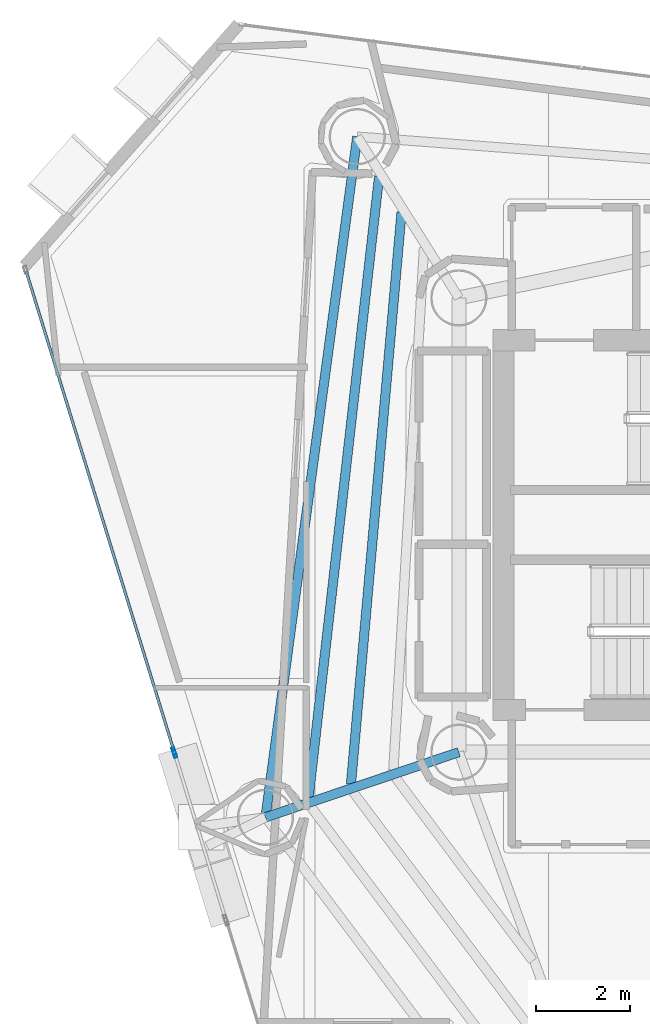
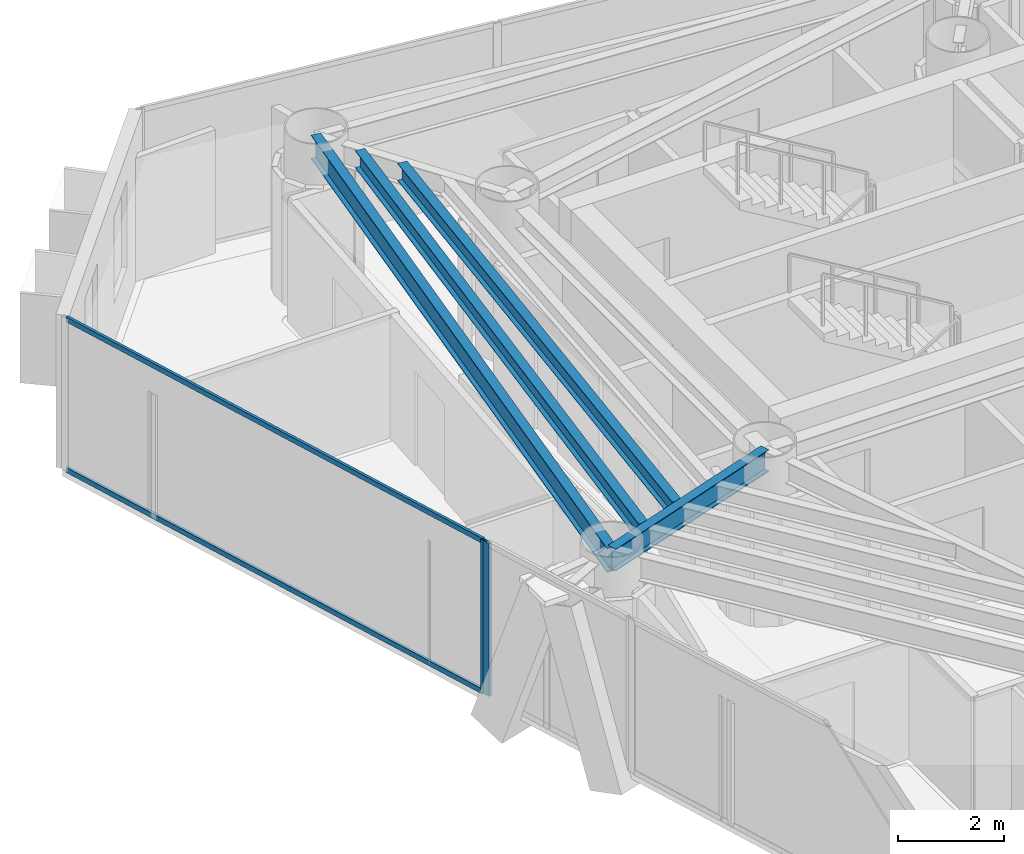
# One storey, part 8 of 23: 4 beams, 4 members, 2 elements without a shape of their own.
"""IFC4 building model written with IfcOpenShell, lengths in metres."""

import ifcopenshell
import ifcopenshell.guid

model = None  # the IFC model being written
_history = None  # IfcOwnerHistory: only IFC2X3 demands one
_inside = {}  # id of a spatial element -> (the spatial element, [elements in it])
_under = {}  # id of a project, library or spatial element -> (it, [spatial elements below it])
_declared = {}  # id of a project -> (the project, [libraries it declares])
_typed = {}  # id of a type object -> (the type object, [elements of that type])
_made_of = {}  # id of a material, layer set ... -> (it, [elements and type objects made of it])


def new_model(schema):
    """Start an empty IFC model of exactly this schema.

    Asked for "IFC4X3", IfcOpenShell would pick the latest addendum, in which some entities
    have other attributes; the version numbers below select the first issue.
    IFC2X3 requires an IfcOwnerHistory on every rooted entity: one is made here for all.
    """
    global model, _history
    if schema == "IFC4X3":
        model = ifcopenshell.file(schema_version=(4, 3, 0, 0))
    else:
        model = ifcopenshell.file(schema=schema)
    _inside.clear()
    _under.clear()
    _declared.clear()
    _typed.clear()
    _made_of.clear()
    _history = None
    if model.schema == "IFC2X3":
        org = make("IfcOrganization", Name="unknown")
        user = make(
            "IfcPersonAndOrganization",
            ThePerson=make("IfcPerson", FamilyName="unknown"),
            TheOrganization=org,
        )
        app = make(
            "IfcApplication",
            ApplicationDeveloper=org,
            Version="unknown",
            ApplicationFullName="unknown",
            ApplicationIdentifier="unknown",
        )
        _history = make(
            "IfcOwnerHistory",
            OwningUser=user,
            OwningApplication=app,
            ChangeAction="ADDED",
            CreationDate=0,
        )
    return model


def make(cls, **values):
    """One entity of the class cls with the attributes given. An attribute that is None is left unset."""
    return model.create_entity(
        cls, **{name: value for name, value in values.items() if value is not None}
    )


def rooted(cls, **values):
    """An entity with a GlobalId (a new one), such as an element, a storey or a relation."""
    return make(cls, GlobalId=ifcopenshell.guid.new(), OwnerHistory=_history, **values)


def si_unit(unit_type, name, prefix=None):
    """IfcSIUnit, for example si_unit("LENGTHUNIT", "METRE", prefix="MILLI")."""
    return make("IfcSIUnit", UnitType=unit_type, Prefix=prefix, Name=name)


def assignment(units):
    """IfcUnitAssignment: the units of a project."""
    return None if units is None else make("IfcUnitAssignment", Units=units)


def point(xyz):
    """IfcCartesianPoint."""
    return None if xyz is None else make("IfcCartesianPoint", Coordinates=xyz)


def direction(xyz):
    """IfcDirection."""
    return None if xyz is None else make("IfcDirection", DirectionRatios=xyz)


def frame(location, z_axis=None, x_axis=None):
    """IfcAxis2Placement3D, a coordinate frame: its origin and axes. An axis left out is left unset."""
    return make(
        "IfcAxis2Placement3D",
        Location=point(location),
        Axis=direction(z_axis),
        RefDirection=direction(x_axis),
    )


def frame_2d(location, x_axis=None):
    """IfcAxis2Placement2D, a coordinate frame in the plane: its origin and x axis."""
    return make(
        "IfcAxis2Placement2D", Location=point(location), RefDirection=direction(x_axis)
    )


def origin():
    """The frame at (0, 0, 0) with its axes left unset."""
    return frame((0.0, 0.0, 0.0))


def origin_2d():
    """The frame at (0, 0) in the plane with its x axis left unset."""
    return frame_2d((0.0, 0.0))


def place(relative_to, where):
    """IfcLocalPlacement: puts the frame where relative to a parent placement (None: the world)."""
    return make(
        "IfcLocalPlacement", PlacementRelTo=relative_to, RelativePlacement=where
    )


def context(
    kind, dimensions, precision=None, world=None, true_north=None, identifier=None
):
    """IfcGeometricRepresentationContext, for example the 3D "Model" context."""
    return make(
        "IfcGeometricRepresentationContext",
        ContextIdentifier=identifier,
        ContextType=kind,
        CoordinateSpaceDimension=dimensions,
        Precision=precision,
        WorldCoordinateSystem=world,
        TrueNorth=true_north,
    )


def subcontext(parent, identifier, kind, view, scale=None):
    """IfcGeometricRepresentationSubContext, for example "Body" below "Model"."""
    return make(
        "IfcGeometricRepresentationSubContext",
        ContextIdentifier=identifier,
        ContextType=kind,
        ParentContext=parent,
        TargetScale=scale,
        TargetView=view,
    )


def project(units=None, contexts=None):
    """IfcProject with its units and contexts."""
    return rooted(
        "IfcProject",
        Name="project",
        RepresentationContexts=contexts,
        UnitsInContext=assignment(units),
    )


def spatial(cls, under=None, at=None, **own):
    """A site, building, storey or space (cls), placed at a placement, below another one or the project."""
    s = rooted(cls, ObjectPlacement=at, **own)
    if under is not None:
        _under.setdefault(under.id(), (under, []))[1].append(s)
    return s


def profile(cls, at=None, kind="AREA", **sizes):
    """A parametric profile (cls). Its sizes go by their IFC names, for example OverallWidth=200.0."""
    return make(cls, ProfileType=kind, Position=at, **sizes)


def hollow_rectangle(**sizes):
    """IfcRectangleHollowProfileDef."""
    return profile("IfcRectangleHollowProfileDef", **sizes)


def i_section(**sizes):
    """IfcIShapeProfileDef."""
    return profile("IfcIShapeProfileDef", **sizes)


def extrude(swept, where, along, depth):
    """IfcExtrudedAreaSolid: the profile swept, set in the frame where, extruded along a direction by depth."""
    return make(
        "IfcExtrudedAreaSolid",
        SweptArea=swept,
        Position=where,
        ExtrudedDirection=direction(along),
        Depth=depth,
    )


def shape(context_of_items, identifier, shape_type, items):
    """IfcShapeRepresentation: the items that make up one representation, for example the "Body"."""
    return make(
        "IfcShapeRepresentation",
        ContextOfItems=context_of_items,
        RepresentationIdentifier=identifier,
        RepresentationType=shape_type,
        Items=items,
    )


def material(Name=None, Category=None):
    """IfcMaterial."""
    return make("IfcMaterial", Name=Name, Category=Category)


def layer(
    of_material, thickness, ventilated=None, Name=None, Category=None, Priority=None
):
    """IfcMaterialLayer: one layer of a wall or slab, of a material (None: an air gap)."""
    return make(
        "IfcMaterialLayer",
        Material=of_material,
        LayerThickness=thickness,
        IsVentilated=ventilated,
        Name=Name,
        Category=Category,
        Priority=Priority,
    )


def layer_set(layers, Name=None):
    """IfcMaterialLayerSet."""
    return make("IfcMaterialLayerSet", MaterialLayers=layers, LayerSetName=Name)


def material_profile(
    of_material, cross_section, Name=None, Category=None, Priority=None
):
    """IfcMaterialProfile: a cross section and its material."""
    return make(
        "IfcMaterialProfile",
        Name=Name,
        Material=of_material,
        Profile=cross_section,
        Priority=Priority,
        Category=Category,
    )


def profile_set(profiles, Name=None, composite=None):
    """IfcMaterialProfileSet."""
    return make(
        "IfcMaterialProfileSet",
        Name=Name,
        MaterialProfiles=profiles,
        CompositeProfile=composite,
    )


def made_of(thing, what):
    """Note that an element or type object is made of a material, layer set ...; save() writes the relation."""
    if what is not None:
        _made_of.setdefault(what.id(), (what, []))[1].append(thing)
    return thing


def type_object(cls, material=None, **own):
    """A type object (cls), such as IfcWallType, which elements share."""
    return made_of(rooted(cls, **own), material)


def element(
    cls,
    number,
    at=None,
    inside=None,
    cuts=None,
    type_object=None,
    material=None,
    context=None,
    identifier="Body",
    shape_type=None,
    held_by="IfcProductDefinitionShape",
    body=None,
    shapes=None,
    **own,
):
    """One element of the class cls, such as IfcWall. Its Tag is "e" and its number.

    at: its placement. inside: the storey or other place that contains it. cuts: it is an
    opening in that element (IfcRelVoidsElement). A single representation is given by context,
    identifier, shape_type and body (its items); several are given by shapes. held_by: the class
    of the entity that holds the representations. save() writes the other relations.
    """
    e = rooted(cls, Tag="e%d" % number, ObjectPlacement=at, **own)
    if body is not None:
        shapes = [shape(context, identifier, shape_type, body)]
    if shapes is not None:
        e.Representation = make(held_by, Representations=shapes)
    if inside is not None:
        _inside.setdefault(inside.id(), (inside, []))[1].append(e)
    if cuts is not None:
        rooted(
            "IfcRelVoidsElement", RelatingBuildingElement=cuts, RelatedOpeningElement=e
        )
    if type_object is not None:
        _typed.setdefault(type_object.id(), (type_object, []))[1].append(e)
    return made_of(e, material)


def aggregate(whole, parts):
    """IfcRelAggregates: a whole, such as a stair, and the parts it consists of."""
    return rooted("IfcRelAggregates", RelatingObject=whole, RelatedObjects=parts)


def save(model, path):
    """Write the relations noted so far, then the file.

    IfcRelAggregates (storeys below a building ...), IfcRelContainedInSpatialStructure (elements
    in a storey), IfcRelDefinesByType, IfcRelAssociatesMaterial and IfcRelDeclares: one each for
    every whole, place, type object, material and project.
    """
    for whole, parts in _under.values():
        aggregate(whole, parts)
    for where, things in _inside.values():
        rooted(
            "IfcRelContainedInSpatialStructure",
            RelatedElements=things,
            RelatingStructure=where,
        )
    for kind, things in _typed.values():
        rooted("IfcRelDefinesByType", RelatedObjects=things, RelatingType=kind)
    for what, things in _made_of.values():
        rooted("IfcRelAssociatesMaterial", RelatedObjects=things, RelatingMaterial=what)
    for by, libraries in _declared.values():
        rooted("IfcRelDeclares", RelatingContext=by, RelatedDefinitions=libraries)
    model.write(path)


model = new_model("IFC4")

# Units and contexts
model_context = context("Model", 3, precision=1e-05, world=origin(), true_north=direction((0.0, 1.0)))
body_context = subcontext(model_context, "Body", "Model", "MODEL_VIEW")
ifc_project = project(units=[si_unit("LENGTHUNIT", "METRE"), si_unit("AREAUNIT", "SQUARE_METRE"), si_unit("VOLUMEUNIT", "CUBIC_METRE"), si_unit("PLANEANGLEUNIT", "RADIAN"), si_unit("MASSUNIT", "GRAM", prefix="KILO")], contexts=[model_context])

# Site, building, storey
site_placement = place(None, origin())
site = spatial("IfcSite", under=ifc_project, at=site_placement, CompositionType="ELEMENT")
building_placement = place(site_placement, origin())
building = spatial("IfcBuilding", under=site, at=building_placement, Name="Qianvela Tower", CompositionType="ELEMENT")
storey_placement = place(building_placement, frame((0.0, 0.0, 218.800048828125)))
storey = spatial("IfcBuildingStorey", under=building, at=storey_placement, Name="L56", CompositionType="ELEMENT", Elevation=218.800048828125)

# Beams
ifc_material_1 = material(Name="Steel Q355B", Category="steel")
ifc_material_profile_1 = material_profile(ifc_material_1, i_section(OverallWidth=0.199951171875, OverallDepth=0.39990234375, WebThickness=0.008056640625, FlangeThickness=0.012939453125, at=origin_2d()), Name="HN400x200x8x13")
ifc_profile_set_1 = profile_set([ifc_material_profile_1], Name="Steel Q355B")
beam_type_1 = type_object("IfcBeamType", Name="BM-HN400-JOIST", PredefinedType="JOIST", material=ifc_profile_set_1)
beam_1_placement = place(storey_placement, frame((27.376953125, 35.3818359375, 3.31787109375), z_axis=(-0.088081491788, -0.996113272075, 0.0), x_axis=(0.996113272075, -0.088081491788, 0.0)))
element("IfcBeam", 1, at=beam_1_placement, inside=storey, type_object=beam_type_1, Name="L56 Secondary Composite Floor Joist 3.2", PredefinedType="JOIST", context=body_context, shape_type="SweptSolid", body=[
    extrude(i_section(OverallWidth=0.199951171875, OverallDepth=0.39990234375, WebThickness=0.008056640625, FlangeThickness=0.012939453125, at=origin_2d()), origin(), (0.0, 0.0, 1.0), 12.26220703125),
])
beam_2_placement = place(storey_placement, frame((26.8974609375, 36.139404296875, 3.31787109375), z_axis=(-0.112721124494, -0.993626664343, 0.0), x_axis=(0.993626664343, -0.112721124494, 0.0)))
element("IfcBeam", 2, at=beam_2_placement, inside=storey, type_object=beam_type_1, Name="L56 Secondary Composite Floor Joist 3.3", PredefinedType="JOIST", context=body_context, shape_type="SweptSolid", body=[
    extrude(i_section(OverallWidth=0.199951171875, OverallDepth=0.39990234375, WebThickness=0.008056640625, FlangeThickness=0.012939453125, at=origin_2d()), origin(), (0.0, 0.0, 1.0), 13.363525390625),
])
ifc_material_2 = material(Name="Steel Q355B", Category="steel")
ifc_material_profile_2 = material_profile(ifc_material_2, i_section(OverallWidth=0.199951171875, OverallDepth=0.5, WebThickness=0.010009765625, FlangeThickness=0.01611328125, at=origin_2d()), Name="HN500x200x10x16")
ifc_profile_set_2 = profile_set([ifc_material_profile_2], Name="Steel Q355B")
beam_type_2 = type_object("IfcBeamType", Name="BM-HN500-GIRD", PredefinedType="BEAM", material=ifc_profile_set_2)
beam_3_placement = place(storey_placement, frame((28.60009765625, 23.85009765625, 3.26806640625), z_axis=(-0.947709214586, -0.319135150976, 0.0), x_axis=(0.319135150976, -0.947709214586, 0.0)))
element("IfcBeam", 3, at=beam_3_placement, inside=storey, type_object=beam_type_2, Name="L56 Radial Primary Floor Girder 4", PredefinedType="BEAM", context=body_context, shape_type="SweptSolid", body=[
    extrude(i_section(OverallWidth=0.199951171875, OverallDepth=0.5, WebThickness=0.010009765625, FlangeThickness=0.01611328125, at=origin_2d()), origin(), (0.0, 0.0, 1.0), 4.35595703125),
])
ifc_material_3 = material(Name="Steel Q355B", Category="steel")
ifc_material_profile_3 = material_profile(ifc_material_3, i_section(OverallWidth=0.199951171875, OverallDepth=0.550048828125, WebThickness=0.010009765625, FlangeThickness=0.01611328125, at=origin_2d()), Name="HN550x200x10x16")
ifc_profile_set_3 = profile_set([ifc_material_profile_3], Name="Steel Q355B")
beam_type_3 = type_object("IfcBeamType", Name="BM-HN550-GIRD", PredefinedType="BEAM", material=ifc_profile_set_3)
beam_4_placement = place(storey_placement, frame((26.430908203125, 36.991943359375, 3.242919921875), z_axis=(-0.133596613255, -0.991035793968, 0.0), x_axis=(0.991035793968, -0.133596613255, 0.0)))
element("IfcBeam", 4, at=beam_4_placement, inside=storey, type_object=beam_type_3, Name="L56 Perimeter Ring Spandrel Girder 3", PredefinedType="BEAM", context=body_context, shape_type="SweptSolid", body=[
    extrude(i_section(OverallWidth=0.199951171875, OverallDepth=0.550048828125, WebThickness=0.010009765625, FlangeThickness=0.01611328125, at=origin_2d()), origin(), (0.0, 0.0, 1.0), 14.663330078125),
])

# Curtain wall, member
ifc_material_4 = material(Name="Anodised Architectural Aluminium and Insulated Spandrel Panel", Category="aluminium")
ifc_layer_1 = layer(ifc_material_4, 0.179931640625)
ifc_layer_set_1 = layer_set([ifc_layer_1], Name="Anodised Architectural Aluminium and Insulated Spandrel Panel")
curtain_wall_type_1 = type_object("IfcCurtainWallType", Name="CW-BRACEBAY", PredefinedType="USERDEFINED", material=ifc_layer_set_1)
curtain_wall_1_placement = place(storey_placement, origin())
curtain_wall_1 = element("IfcCurtainWall", 5, at=curtain_wall_1_placement, inside=storey, type_object=curtain_wall_type_1, Name="L56 CW-BRACEBAY Curtain Wall 04B", ObjectType="CURTAIN_WALL_SYSTEM", PredefinedType="USERDEFINED")
ifc_material_5 = material(Name="Anodised Architectural Aluminium 6063-T6", Category="aluminium")
ifc_material_profile_4 = material_profile(ifc_material_5, hollow_rectangle(XDim=0.06494140625, YDim=0.159912109375, WallThickness=0.0048828125, at=origin_2d()), Name="ALU-MULL-65x160")
ifc_profile_set_4 = profile_set([ifc_material_profile_4], Name="Anodised Architectural Aluminium 6063-T6")
member_type_1 = type_object("IfcMemberType", Name="CW-BRACEBAY-MULL", PredefinedType="MULLION", material=ifc_profile_set_4)
member_1_placement = place(storey_placement, frame((22.53759765625, 23.807861328125, 0.0), z_axis=(0.0, 0.0, 1.0), x_axis=(0.955692825905, 0.29436579712, 0.0)))
member_1 = element("IfcMember", 6, at=member_1_placement, type_object=member_type_1, Name="CW-9 mullion 1", PredefinedType="MULLION", context=body_context, shape_type="SweptSolid", body=[
    extrude(hollow_rectangle(XDim=0.06494140625, YDim=0.159912109375, WallThickness=0.0048828125, at=origin_2d()), origin(), (0.0, 0.0, 1.0), 3.52001953125),
])
aggregate(curtain_wall_1, [member_1])

# Curtain wall, members
ifc_material_6 = material(Name="Anodised Architectural Aluminium and Low-E Glass", Category="aluminium")
ifc_layer_2 = layer(ifc_material_6, 0.159912109375)
ifc_layer_set_2 = layer_set([ifc_layer_2], Name="Anodised Architectural Aluminium and Low-E Glass")
curtain_wall_type_2 = type_object("IfcCurtainWallType", Name="CW-COLIV-Z56", PredefinedType="USERDEFINED", material=ifc_layer_set_2)
curtain_wall_2_placement = place(storey_placement, origin())
curtain_wall_2 = element("IfcCurtainWall", 7, at=curtain_wall_2_placement, inside=storey, type_object=curtain_wall_type_2, Name="L56 CW-COLIV-Z56 Curtain Wall 04A", ObjectType="CURTAIN_WALL_SYSTEM", PredefinedType="USERDEFINED")
ifc_material_7 = material(Name="Anodised Architectural Aluminium 6063-T6", Category="aluminium")
ifc_material_profile_5 = material_profile(ifc_material_7, hollow_rectangle(XDim=0.06494140625, YDim=0.159912109375, WallThickness=0.0048828125, at=origin_2d()), Name="ALU-MULL-65x160")
ifc_profile_set_5 = profile_set([ifc_material_profile_5], Name="Anodised Architectural Aluminium 6063-T6")
member_type_2 = type_object("IfcMemberType", Name="CW-COLIV-Z56-MULL", PredefinedType="MULLION", material=ifc_profile_set_5)
member_2_placement = place(storey_placement, frame((22.5185546875, 23.869873046875, 0.0), z_axis=(0.0, 0.0, 1.0), x_axis=(0.955688640846, 0.294379384056, 0.0)))
member_2 = element("IfcMember", 8, at=member_2_placement, type_object=member_type_2, Name="CW-5 mullion 2", PredefinedType="MULLION", context=body_context, shape_type="SweptSolid", body=[
    extrude(hollow_rectangle(XDim=0.06494140625, YDim=0.159912109375, WallThickness=0.0048828125, at=origin_2d()), origin(), (0.0, 0.0, 1.0), 3.52001953125),
])
ifc_material_8 = material(Name="Anodised Architectural Aluminium 6063-T6", Category="aluminium")
ifc_material_profile_6 = material_profile(ifc_material_8, hollow_rectangle(XDim=0.06005859375, YDim=0.114990234375, WallThickness=0.00390625, at=origin_2d()), Name="ALU-TRAN-60x115")
ifc_profile_set_6 = profile_set([ifc_material_profile_6], Name="Anodised Architectural Aluminium 6063-T6")
member_type_3 = type_object("IfcMemberType", Name="CW-COLIV-Z56-TRAN", PredefinedType="USERDEFINED", material=ifc_profile_set_6)
member_3_placement = place(storey_placement, frame((19.36181640625, 34.117431640625, 0.030029296875), z_axis=(0.294384335879, -0.95568711553, 0.0), x_axis=(0.95568711553, 0.294384335879, 0.0)))
member_3 = element("IfcMember", 9, at=member_3_placement, type_object=member_type_3, Name="CW-5 transom 1.1", ObjectType="TRANSOM", PredefinedType="USERDEFINED", context=body_context, shape_type="SweptSolid", body=[
    extrude(hollow_rectangle(XDim=0.06005859375, YDim=0.114990234375, WallThickness=0.00390625, at=origin_2d()), origin(), (0.0, 0.0, 1.0), 10.68994140625),
])
member_4_placement = place(storey_placement, frame((19.36181640625, 34.117431640625, 3.489990234375), z_axis=(0.294384335879, -0.95568711553, 0.0), x_axis=(0.95568711553, 0.294384335879, 0.0)))
member_4 = element("IfcMember", 10, at=member_4_placement, type_object=member_type_3, Name="CW-5 transom 1.2", ObjectType="TRANSOM", PredefinedType="USERDEFINED", context=body_context, shape_type="SweptSolid", body=[
    extrude(hollow_rectangle(XDim=0.06005859375, YDim=0.114990234375, WallThickness=0.00390625, at=origin_2d()), origin(), (0.0, 0.0, 1.0), 10.68994140625),
])
aggregate(curtain_wall_2, [member_2, member_3, member_4])

save(model, "model.ifc")
